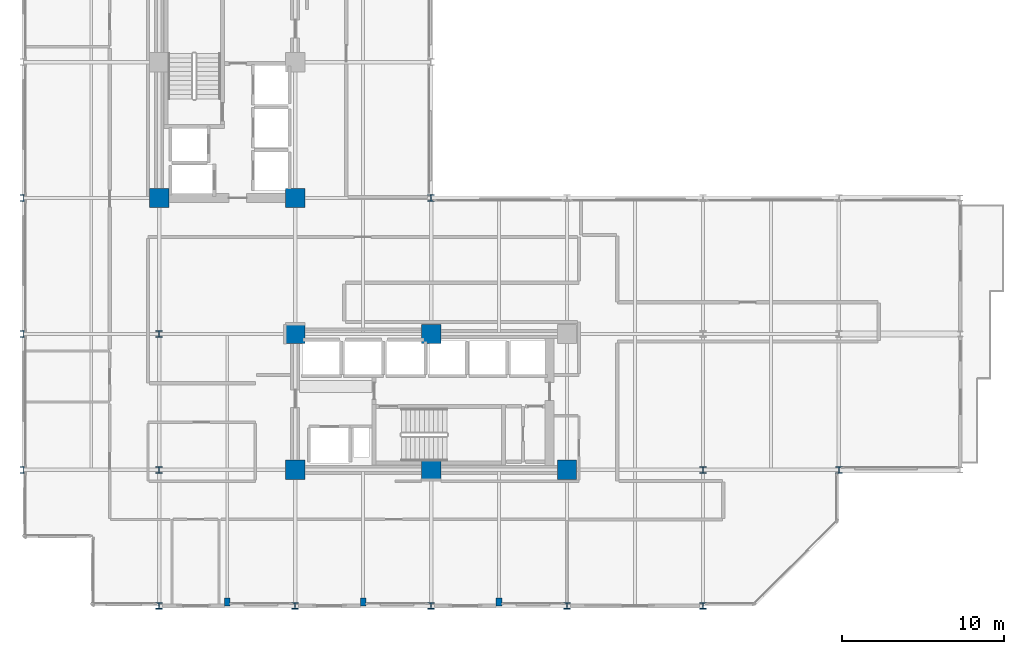
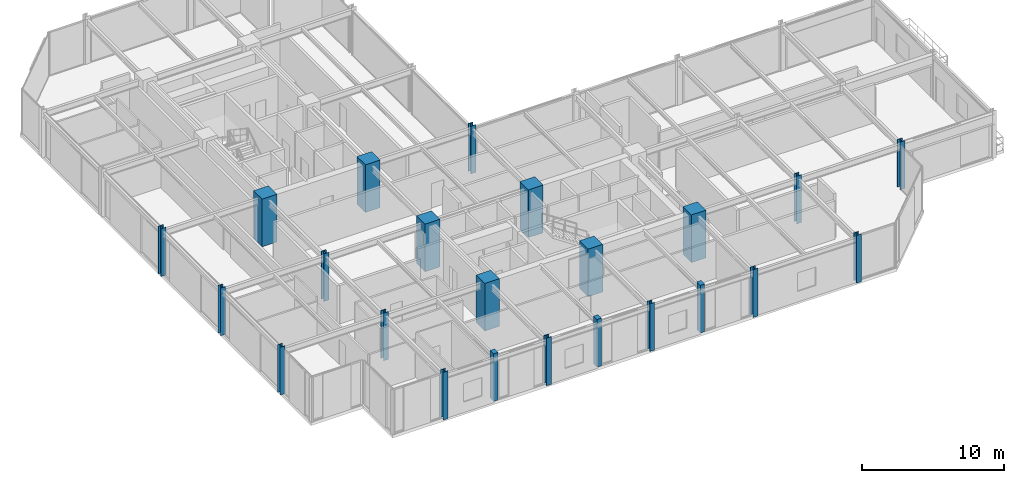
# One storey, part 1 of 38: 23 columns.
"""IFC4 building model written with IfcOpenShell, lengths in metres."""

import ifcopenshell
import ifcopenshell.guid

model = None  # the IFC model being written
_history = None  # IfcOwnerHistory: only IFC2X3 demands one
_inside = {}  # id of a spatial element -> (the spatial element, [elements in it])
_under = {}  # id of a project, library or spatial element -> (it, [spatial elements below it])
_declared = {}  # id of a project -> (the project, [libraries it declares])
_typed = {}  # id of a type object -> (the type object, [elements of that type])
_made_of = {}  # id of a material, layer set ... -> (it, [elements and type objects made of it])


def new_model(schema):
    """Start an empty IFC model of exactly this schema.

    Asked for "IFC4X3", IfcOpenShell would pick the latest addendum, in which some entities
    have other attributes; the version numbers below select the first issue.
    IFC2X3 requires an IfcOwnerHistory on every rooted entity: one is made here for all.
    """
    global model, _history
    if schema == "IFC4X3":
        model = ifcopenshell.file(schema_version=(4, 3, 0, 0))
    else:
        model = ifcopenshell.file(schema=schema)
    _inside.clear()
    _under.clear()
    _declared.clear()
    _typed.clear()
    _made_of.clear()
    _history = None
    if model.schema == "IFC2X3":
        org = make("IfcOrganization", Name="unknown")
        user = make(
            "IfcPersonAndOrganization",
            ThePerson=make("IfcPerson", FamilyName="unknown"),
            TheOrganization=org,
        )
        app = make(
            "IfcApplication",
            ApplicationDeveloper=org,
            Version="unknown",
            ApplicationFullName="unknown",
            ApplicationIdentifier="unknown",
        )
        _history = make(
            "IfcOwnerHistory",
            OwningUser=user,
            OwningApplication=app,
            ChangeAction="ADDED",
            CreationDate=0,
        )
    return model


def make(cls, **values):
    """One entity of the class cls with the attributes given. An attribute that is None is left unset."""
    return model.create_entity(
        cls, **{name: value for name, value in values.items() if value is not None}
    )


def rooted(cls, **values):
    """An entity with a GlobalId (a new one), such as an element, a storey or a relation."""
    return make(cls, GlobalId=ifcopenshell.guid.new(), OwnerHistory=_history, **values)


def si_unit(unit_type, name, prefix=None):
    """IfcSIUnit, for example si_unit("LENGTHUNIT", "METRE", prefix="MILLI")."""
    return make("IfcSIUnit", UnitType=unit_type, Prefix=prefix, Name=name)


def assignment(units):
    """IfcUnitAssignment: the units of a project."""
    return None if units is None else make("IfcUnitAssignment", Units=units)


def point(xyz):
    """IfcCartesianPoint."""
    return None if xyz is None else make("IfcCartesianPoint", Coordinates=xyz)


def direction(xyz):
    """IfcDirection."""
    return None if xyz is None else make("IfcDirection", DirectionRatios=xyz)


def frame(location, z_axis=None, x_axis=None):
    """IfcAxis2Placement3D, a coordinate frame: its origin and axes. An axis left out is left unset."""
    return make(
        "IfcAxis2Placement3D",
        Location=point(location),
        Axis=direction(z_axis),
        RefDirection=direction(x_axis),
    )


def frame_2d(location, x_axis=None):
    """IfcAxis2Placement2D, a coordinate frame in the plane: its origin and x axis."""
    return make(
        "IfcAxis2Placement2D", Location=point(location), RefDirection=direction(x_axis)
    )


def origin():
    """The frame at (0, 0, 0) with its axes left unset."""
    return frame((0.0, 0.0, 0.0))


def origin_2d():
    """The frame at (0, 0) in the plane with its x axis left unset."""
    return frame_2d((0.0, 0.0))


def place(relative_to, where):
    """IfcLocalPlacement: puts the frame where relative to a parent placement (None: the world)."""
    return make(
        "IfcLocalPlacement", PlacementRelTo=relative_to, RelativePlacement=where
    )


def context(
    kind, dimensions, precision=None, world=None, true_north=None, identifier=None
):
    """IfcGeometricRepresentationContext, for example the 3D "Model" context."""
    return make(
        "IfcGeometricRepresentationContext",
        ContextIdentifier=identifier,
        ContextType=kind,
        CoordinateSpaceDimension=dimensions,
        Precision=precision,
        WorldCoordinateSystem=world,
        TrueNorth=true_north,
    )


def subcontext(parent, identifier, kind, view, scale=None):
    """IfcGeometricRepresentationSubContext, for example "Body" below "Model"."""
    return make(
        "IfcGeometricRepresentationSubContext",
        ContextIdentifier=identifier,
        ContextType=kind,
        ParentContext=parent,
        TargetScale=scale,
        TargetView=view,
    )


def project(units=None, contexts=None):
    """IfcProject with its units and contexts."""
    return rooted(
        "IfcProject",
        Name="project",
        RepresentationContexts=contexts,
        UnitsInContext=assignment(units),
    )


def spatial(cls, under=None, at=None, **own):
    """A site, building, storey or space (cls), placed at a placement, below another one or the project."""
    s = rooted(cls, ObjectPlacement=at, **own)
    if under is not None:
        _under.setdefault(under.id(), (under, []))[1].append(s)
    return s


def profile(cls, at=None, kind="AREA", **sizes):
    """A parametric profile (cls). Its sizes go by their IFC names, for example OverallWidth=200.0."""
    return make(cls, ProfileType=kind, Position=at, **sizes)


def rectangle(**sizes):
    """IfcRectangleProfileDef."""
    return profile("IfcRectangleProfileDef", **sizes)


def i_section(**sizes):
    """IfcIShapeProfileDef."""
    return profile("IfcIShapeProfileDef", **sizes)


def extrude(swept, where, along, depth):
    """IfcExtrudedAreaSolid: the profile swept, set in the frame where, extruded along a direction by depth."""
    return make(
        "IfcExtrudedAreaSolid",
        SweptArea=swept,
        Position=where,
        ExtrudedDirection=direction(along),
        Depth=depth,
    )


def shape(context_of_items, identifier, shape_type, items):
    """IfcShapeRepresentation: the items that make up one representation, for example the "Body"."""
    return make(
        "IfcShapeRepresentation",
        ContextOfItems=context_of_items,
        RepresentationIdentifier=identifier,
        RepresentationType=shape_type,
        Items=items,
    )


def material(Name=None, Category=None):
    """IfcMaterial."""
    return make("IfcMaterial", Name=Name, Category=Category)


def material_profile(
    of_material, cross_section, Name=None, Category=None, Priority=None
):
    """IfcMaterialProfile: a cross section and its material."""
    return make(
        "IfcMaterialProfile",
        Name=Name,
        Material=of_material,
        Profile=cross_section,
        Priority=Priority,
        Category=Category,
    )


def profile_set(profiles, Name=None, composite=None):
    """IfcMaterialProfileSet."""
    return make(
        "IfcMaterialProfileSet",
        Name=Name,
        MaterialProfiles=profiles,
        CompositeProfile=composite,
    )


def made_of(thing, what):
    """Note that an element or type object is made of a material, layer set ...; save() writes the relation."""
    if what is not None:
        _made_of.setdefault(what.id(), (what, []))[1].append(thing)
    return thing


def type_object(cls, material=None, **own):
    """A type object (cls), such as IfcWallType, which elements share."""
    return made_of(rooted(cls, **own), material)


def element(
    cls,
    number,
    at=None,
    inside=None,
    cuts=None,
    type_object=None,
    material=None,
    context=None,
    identifier="Body",
    shape_type=None,
    held_by="IfcProductDefinitionShape",
    body=None,
    shapes=None,
    **own,
):
    """One element of the class cls, such as IfcWall. Its Tag is "e" and its number.

    at: its placement. inside: the storey or other place that contains it. cuts: it is an
    opening in that element (IfcRelVoidsElement). A single representation is given by context,
    identifier, shape_type and body (its items); several are given by shapes. held_by: the class
    of the entity that holds the representations. save() writes the other relations.
    """
    e = rooted(cls, Tag="e%d" % number, ObjectPlacement=at, **own)
    if body is not None:
        shapes = [shape(context, identifier, shape_type, body)]
    if shapes is not None:
        e.Representation = make(held_by, Representations=shapes)
    if inside is not None:
        _inside.setdefault(inside.id(), (inside, []))[1].append(e)
    if cuts is not None:
        rooted(
            "IfcRelVoidsElement", RelatingBuildingElement=cuts, RelatedOpeningElement=e
        )
    if type_object is not None:
        _typed.setdefault(type_object.id(), (type_object, []))[1].append(e)
    return made_of(e, material)


def aggregate(whole, parts):
    """IfcRelAggregates: a whole, such as a stair, and the parts it consists of."""
    return rooted("IfcRelAggregates", RelatingObject=whole, RelatedObjects=parts)


def save(model, path):
    """Write the relations noted so far, then the file.

    IfcRelAggregates (storeys below a building ...), IfcRelContainedInSpatialStructure (elements
    in a storey), IfcRelDefinesByType, IfcRelAssociatesMaterial and IfcRelDeclares: one each for
    every whole, place, type object, material and project.
    """
    for whole, parts in _under.values():
        aggregate(whole, parts)
    for where, things in _inside.values():
        rooted(
            "IfcRelContainedInSpatialStructure",
            RelatedElements=things,
            RelatingStructure=where,
        )
    for kind, things in _typed.values():
        rooted("IfcRelDefinesByType", RelatedObjects=things, RelatingType=kind)
    for what, things in _made_of.values():
        rooted("IfcRelAssociatesMaterial", RelatedObjects=things, RelatingMaterial=what)
    for by, libraries in _declared.values():
        rooted("IfcRelDeclares", RelatingContext=by, RelatedDefinitions=libraries)
    model.write(path)


model = new_model("IFC4")

# Units and contexts
model_context = context("Model", 3, precision=1e-05, world=origin(), true_north=direction((0.0, 1.0)))
body_context = subcontext(model_context, "Body", "Model", "MODEL_VIEW")
ifc_project = project(units=[si_unit("LENGTHUNIT", "METRE"), si_unit("AREAUNIT", "SQUARE_METRE"), si_unit("VOLUMEUNIT", "CUBIC_METRE"), si_unit("PLANEANGLEUNIT", "RADIAN"), si_unit("MASSUNIT", "GRAM", prefix="KILO")], contexts=[model_context])

# Site, building, storey
site_placement = place(None, origin())
site = spatial("IfcSite", under=ifc_project, at=site_placement, CompositionType="ELEMENT")
building_placement = place(site_placement, origin())
building = spatial("IfcBuilding", under=site, at=building_placement, Name="Nerrivon Quay Data Exchange", CompositionType="ELEMENT")
storey_placement = place(building_placement, frame((0.0, 0.0, 100.800048828125)))
storey = spatial("IfcBuildingStorey", under=building, at=storey_placement, Name="L23", CompositionType="ELEMENT", Elevation=100.800048828125)

# Columns
ifc_material_1 = material(Name="Concrete S65 (65 MPa)", Category="concrete")
ifc_material_profile_1 = material_profile(ifc_material_1, rectangle(XDim=1.199951171875, YDim=1.199951171875, at=origin_2d()), Name="RC-COL-1200x1200")
ifc_profile_set_1 = profile_set([ifc_material_profile_1], Name="Concrete S65 (65 MPa)")
column_type_1 = type_object("IfcColumnType", Name="COL-C3-1200", PredefinedType="COLUMN", material=ifc_profile_set_1)
for number, where, z_axis, x_axis, name in (
    (1, (8.39990234375, 25.199951171875, 0.0), (0.0, 0.0, 1.0), (1.0, 0.0, 0.0), "L23 Column (8.4,25.2)"),
    (2, (16.800048828125, 8.39990234375, 0.0), (0.0, 0.0, 1.0), (1.0, 0.0, 0.0), "L23 Column (16.8,8.4)"),
    (3, (16.800048828125, 16.800048828125, 0.0), (0.0, 0.0, 1.0), (1.0, 0.0, 0.0), "L23 Column (16.8,16.8)"),
    (4, (16.800048828125, 25.199951171875, 0.0), (0.0, 0.0, 1.0), (1.0, 0.0, 0.0), "L23 Column (16.8,25.2)"),
    (5, (25.199951171875, 8.39990234375, 0.0), (0.0, 0.0, 1.0), (1.0, 0.0, 0.0), "L23 Column (25.2,8.4)"),
    (6, (25.199951171875, 16.800048828125, 0.0), (0.0, 0.0, 1.0), (1.0, 0.0, 0.0), "L23 Column (25.2,16.8)"),
    (7, (33.60009765625, 8.39990234375, 0.0), (0.0, 0.0, 1.0), (1.0, 0.0, 0.0), "L23 Column (33.6,8.4)"),
):
    element("IfcColumn", number, at=place(storey_placement, frame(where, z_axis=z_axis, x_axis=x_axis)), inside=storey, type_object=column_type_1, Name=name, PredefinedType="COLUMN", context=body_context, shape_type="SweptSolid", body=[
        extrude(rectangle(XDim=1.199951171875, YDim=1.199951171875, at=origin_2d()), origin(), (0.0, 0.0, 1.0), 4.099853515625),
    ])
ifc_material_2 = material(Name="Steel Grade 350", Category="steel")
ifc_material_profile_2 = material_profile(ifc_material_2, i_section(OverallWidth=0.39990234375, OverallDepth=0.39990234375, WebThickness=0.02490234375, FlangeThickness=0.0400390625, at=origin_2d()), Name="400WC328")
ifc_profile_set_2 = profile_set([ifc_material_profile_2], Name="Steel Grade 350")
column_type_2 = type_object("IfcColumnType", Name="COL-SC2-400WC", PredefinedType="COLUMN", material=ifc_profile_set_2)
for number, where, z_axis, x_axis, name in (
    (8, (0.0, 8.39990234375, 0.0), (0.0, 0.0, 1.0), (1.0, 0.0, 0.0), "L23 Column (0.0,8.4)"),
    (9, (0.0, 16.800048828125, 0.0), (0.0, 0.0, 1.0), (1.0, 0.0, 0.0), "L23 Column (0.0,16.8)"),
    (10, (0.0, 25.199951171875, 0.0), (0.0, 0.0, 1.0), (1.0, 0.0, 0.0), "L23 Column (0.0,25.2)"),
    (11, (8.39990234375, 0.0, 0.0), (0.0, 0.0, 1.0), (1.0, 0.0, 0.0), "L23 Column (8.4,0.0)"),
    (12, (8.39990234375, 8.39990234375, 0.0), (0.0, 0.0, 1.0), (1.0, 0.0, 0.0), "L23 Column (8.4,8.4)"),
    (13, (8.39990234375, 16.800048828125, 0.0), (0.0, 0.0, 1.0), (1.0, 0.0, 0.0), "L23 Column (8.4,16.8)"),
    (14, (16.800048828125, 0.0, 0.0), (0.0, 0.0, 1.0), (1.0, 0.0, 0.0), "L23 Column (16.8,0.0)"),
    (15, (25.199951171875, 0.0, 0.0), (0.0, 0.0, 1.0), (1.0, 0.0, 0.0), "L23 Column (25.2,0.0)"),
    (16, (25.199951171875, 25.199951171875, 0.0), (0.0, 0.0, 1.0), (1.0, 0.0, 0.0), "L23 Column (25.2,25.2)"),
    (17, (33.60009765625, 0.0, 0.0), (0.0, 0.0, 1.0), (1.0, 0.0, 0.0), "L23 Column (33.6,0.0)"),
    (18, (42.0, 0.0, 0.0), (0.0, 0.0, 1.0), (1.0, 0.0, 0.0), "L23 Column (42.0,0.0)"),
    (19, (42.0, 8.39990234375, 0.0), (0.0, 0.0, 1.0), (1.0, 0.0, 0.0), "L23 Column (42.0,8.4)"),
    (20, (50.39990234375, 8.39990234375, 0.0), (0.0, 0.0, 1.0), (1.0, 0.0, 0.0), "L23 Column (50.4,8.4)"),
):
    element("IfcColumn", number, at=place(storey_placement, frame(where, z_axis=z_axis, x_axis=x_axis)), inside=storey, type_object=column_type_2, Name=name, PredefinedType="COLUMN", context=body_context, shape_type="SweptSolid", body=[
        extrude(i_section(OverallWidth=0.39990234375, OverallDepth=0.39990234375, WebThickness=0.02490234375, FlangeThickness=0.0400390625, at=origin_2d()), origin(), (0.0, 0.0, 1.0), 4.099853515625),
    ])
ifc_material_3 = material(Name="Concrete N50 (50 MPa)", Category="concrete")
ifc_material_profile_3 = material_profile(ifc_material_3, rectangle(XDim=0.35009765625, YDim=0.5, at=origin_2d()), Name="RC-PIL-500x350")
ifc_profile_set_3 = profile_set([ifc_material_profile_3], Name="Concrete N50 (50 MPa)")
column_type_3 = type_object("IfcColumnType", Name="PIL-P2-500x350", PredefinedType="PILASTER", material=ifc_profile_set_3)
for number, where, z_axis, x_axis, name in (
    (21, (12.60009765625, 0.25, 0.0), (0.0, 0.0, 1.0), (1.0, 0.0, 0.0), "L23 Facade Pilaster (12.6)"),
    (22, (21.0, 0.25, 0.0), (0.0, 0.0, 1.0), (1.0, 0.0, 0.0), "L23 Facade Pilaster (21.0)"),
    (23, (29.39990234375, 0.25, 0.0), (0.0, 0.0, 1.0), (1.0, 0.0, 0.0), "L23 Facade Pilaster (29.4)"),
):
    element("IfcColumn", number, at=place(storey_placement, frame(where, z_axis=z_axis, x_axis=x_axis)), inside=storey, type_object=column_type_3, Name=name, PredefinedType="PILASTER", context=body_context, shape_type="SweptSolid", body=[
        extrude(rectangle(XDim=0.35009765625, YDim=0.5, at=origin_2d()), origin(), (0.0, 0.0, 1.0), 4.099853515625),
    ])

save(model, "model.ifc")
